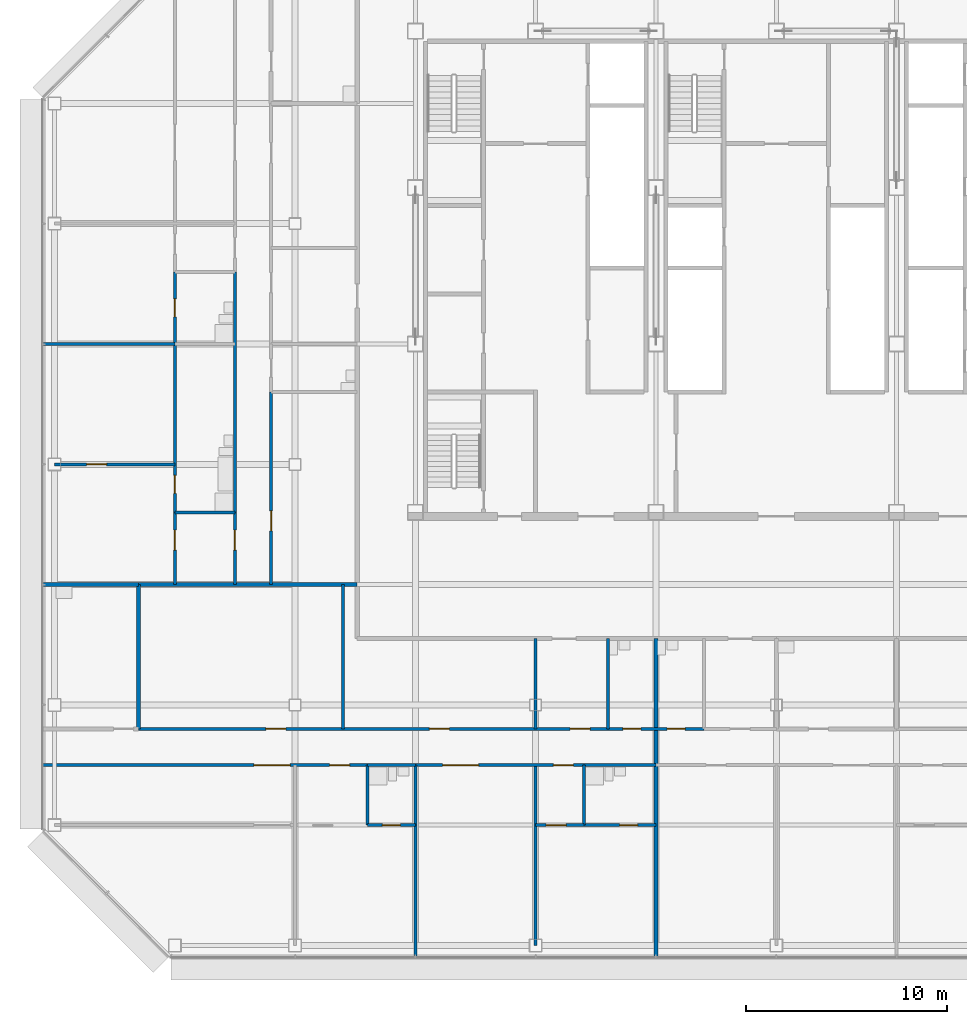
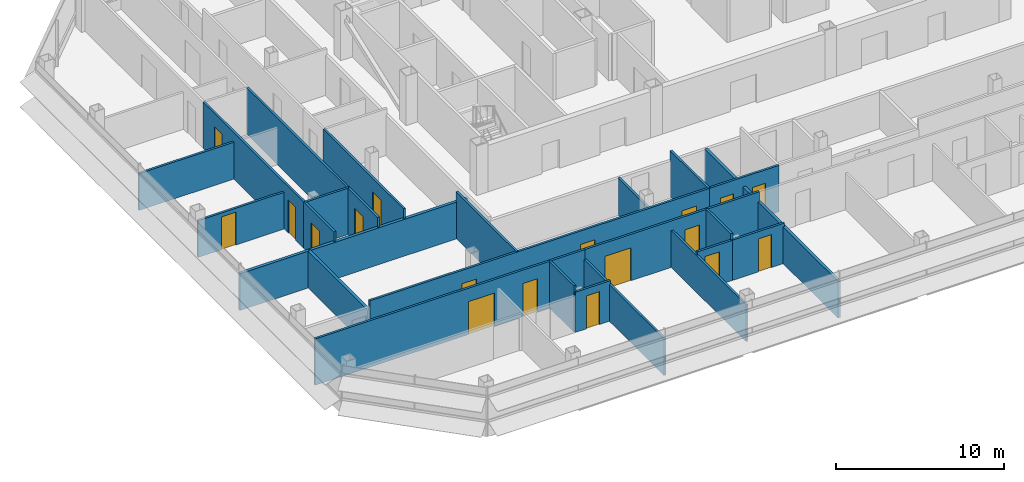
# One storey, part 20 of 27: 29 walls, 18 doors, 18 openings.
"""IFC4 building model written with IfcOpenShell, lengths in metres."""

from ifc_helpers import new_model, si_unit, direction, frame, frame_2d, origin, place, context, subcontext, project, spatial, rectangle, extrude, material, layer, layer_set, type_object, element, fill, save


model = new_model("IFC4")

# Units and contexts
model_context = context("Model", 3, precision=1e-05, world=origin(), true_north=direction((0.0, 1.0)))
body_context = subcontext(model_context, "Body", "Model", "MODEL_VIEW")
ifc_project = project(units=[si_unit("LENGTHUNIT", "METRE"), si_unit("AREAUNIT", "SQUARE_METRE"), si_unit("VOLUMEUNIT", "CUBIC_METRE"), si_unit("PLANEANGLEUNIT", "RADIAN"), si_unit("MASSUNIT", "GRAM", prefix="KILO")], contexts=[model_context])

# Site, building, storey
site_placement = place(None, origin())
site = spatial("IfcSite", under=ifc_project, at=site_placement, CompositionType="ELEMENT")
building_placement = place(site_placement, origin())
building = spatial("IfcBuilding", under=site, at=building_placement, Name="Sorahane Residences", CompositionType="ELEMENT")
storey_placement = place(building_placement, frame((0.0, 0.0, 206.39990234375)))
storey = spatial("IfcBuildingStorey", under=building, at=storey_placement, Name="L48", CompositionType="ELEMENT", Elevation=206.39990234375)

# Walls
ifc_material_1 = material(Name="Concrete blockwork C20 wall", Category="masonry")
ifc_layer_1 = layer(ifc_material_1, 0.199951171875)
ifc_layer_set_1 = layer_set([ifc_layer_1], Name="Kitchen wall 200 EI 180")
wall_type_1 = type_object("IfcWallType", Name="Kitchen wall 200 EI 180", PredefinedType="SOLIDWALL", material=ifc_layer_set_1)
wall_1_placement = place(storey_placement, frame((-7.800048828125, 10.800048828125, 0.0), z_axis=(0.0, 0.0, 1.0), x_axis=(0.0, 1.0, 0.0)))
element("IfcWall", 1, at=wall_1_placement, inside=storey, type_object=wall_type_1, Name="L48 kitchen wall", PredefinedType="SOLIDWALL", context=body_context, shape_type="SweptSolid", body=[
    extrude(rectangle(XDim=7.199951171875, YDim=0.199951171875, at=frame_2d((3.60009765625, 0.0))), origin(), (0.0, 0.0, 1.0), 2.68017578125),
])
wall_2_placement = place(storey_placement, frame((-12.60009765625, 18.0, 0.0), z_axis=(0.0, 0.0, 1.0), x_axis=(1.0, 0.0, 0.0)))
element("IfcWall", 2, at=wall_2_placement, inside=storey, type_object=wall_type_1, Name="L48 kitchen wall", PredefinedType="SOLIDWALL", context=body_context, shape_type="SweptSolid", body=[
    extrude(rectangle(XDim=4.800048828125, YDim=0.199951171875, at=frame_2d((2.39990234375, 0.0))), origin(), (0.0, 0.0, 1.0), 2.68017578125),
])

# Wall, opening, door
ifc_material_2 = material(Name="Gypsum board partition on steel studs", Category="steel")
ifc_layer_2 = layer(ifc_material_2, 0.14990234375)
ifc_layer_set_2 = layer_set([ifc_layer_2], Name="Partition 150 EI 90")
wall_type_2 = type_object("IfcWallType", Name="Partition 150 EI 90", PredefinedType="PARTITIONING", material=ifc_layer_set_2)
wall_3_placement = place(storey_placement, frame((-1.199951171875, 18.0, 0.0), z_axis=(0.0, 0.0, 1.0), x_axis=(0.0, 1.0, 0.0)))
wall_3 = element("IfcWall", 3, at=wall_3_placement, inside=storey, type_object=wall_type_2, Name="L48 partition", PredefinedType="PARTITIONING", context=body_context, shape_type="SweptSolid", body=[
    extrude(rectangle(XDim=9.60009765625, YDim=0.14990234375, at=frame_2d((4.800048828125, 0.0))), origin(), (0.0, 0.0, 1.0), 3.380126953125),
])
opening_1_placement = place(wall_3_placement, frame((2.679931640625, 0.0, 0.0)))
opening_1 = element("IfcOpeningElement", 4, at=opening_1_placement, cuts=wall_3, Name="Opening L48-31", PredefinedType="OPENING", context=body_context, shape_type="SweptSolid", body=[
    extrude(rectangle(XDim=1.0, YDim=2.39990234375, at=frame_2d((0.5, 1.199951171875))), frame((0.0, 0.0849609375, 0.0), z_axis=(0.0, -1.0, 0.0), x_axis=(1.0, 0.0, 0.0)), (0.0, 0.0, 1.0), 0.169921875),
])
ifc_material_3 = material(Name="Timber veneered fire door", Category="wood")
door_type_1 = type_object("IfcDoorType", Name="Room door 1000x2400 FD30", OperationType="NOTDEFINED", PredefinedType="DOOR", material=ifc_material_3)
door_1_placement = place(opening_1_placement, frame((1.0, 0.0, 0.0), z_axis=(0.0, 0.0, 1.0), x_axis=(-1.0, 0.0, 0.0)))
door_1 = element("IfcDoor", 5, at=door_1_placement, inside=storey, type_object=door_type_1, Name="Room door L48-31", OperationType="SINGLE_SWING_LEFT", OverallHeight=2.39990234375, OverallWidth=1.0, PredefinedType="DOOR", context=body_context, shape_type="SweptSolid", body=[
    extrude(rectangle(XDim=1.0, YDim=2.39990234375, at=frame_2d((0.5, 1.199951171875))), frame((0.0, 0.02490234375, 0.0), z_axis=(0.0, -1.0, 0.0), x_axis=(1.0, 0.0, 0.0)), (0.0, 0.0, 1.0), 0.050048828125),
])
fill(opening_1, door_1)

wall_4_placement = place(storey_placement, frame((-3.0, 18.0, 0.0), z_axis=(0.0, 0.0, 1.0), x_axis=(0.0, 1.0, 0.0)))
wall_4 = element("IfcWall", 6, at=wall_4_placement, inside=storey, type_object=wall_type_2, Name="L48 partition", PredefinedType="PARTITIONING", context=body_context, shape_type="SweptSolid", body=[
    extrude(rectangle(XDim=3.60009765625, YDim=0.14990234375, at=frame_2d((1.800048828125, 0.0))), origin(), (0.0, 0.0, 1.0), 3.380126953125),
])
opening_2_placement = place(wall_4_placement, frame((1.719970703125, 0.0, 0.0)))
opening_2 = element("IfcOpeningElement", 7, at=opening_2_placement, cuts=wall_4, Name="Opening L48-35", PredefinedType="OPENING", context=body_context, shape_type="SweptSolid", body=[
    extrude(rectangle(XDim=1.0, YDim=2.39990234375, at=frame_2d((0.5, 1.199951171875))), frame((0.0, 0.0849609375, 0.0), z_axis=(0.0, -1.0, 0.0), x_axis=(1.0, 0.0, 0.0)), (0.0, 0.0, 1.0), 0.169921875),
])
door_2_placement = place(opening_2_placement, origin())
door_2 = element("IfcDoor", 8, at=door_2_placement, inside=storey, type_object=door_type_1, Name="Room door L48-35", OperationType="SINGLE_SWING_RIGHT", OverallHeight=2.39990234375, OverallWidth=1.0, PredefinedType="DOOR", context=body_context, shape_type="SweptSolid", body=[
    extrude(rectangle(XDim=1.0, YDim=2.39990234375, at=frame_2d((0.5, 1.199951171875))), frame((0.0, 0.02490234375, 0.0), z_axis=(0.0, -1.0, 0.0), x_axis=(1.0, 0.0, 0.0)), (0.0, 0.0, 1.0), 0.050048828125),
])
fill(opening_2, door_2)

wall_5_placement = place(storey_placement, frame((-6.0, 18.0, 0.0), z_axis=(0.0, 0.0, 1.0), x_axis=(0.0, 1.0, 0.0)))
wall_5 = element("IfcWall", 9, at=wall_5_placement, inside=storey, type_object=wall_type_2, Name="L48 partition", PredefinedType="PARTITIONING", context=body_context, shape_type="SweptSolid", body=[
    extrude(rectangle(XDim=3.60009765625, YDim=0.14990234375, at=frame_2d((1.800048828125, 0.0))), origin(), (0.0, 0.0, 1.0), 3.380126953125),
])
opening_3_placement = place(wall_5_placement, frame((1.719970703125, 0.0, 0.0)))
opening_3 = element("IfcOpeningElement", 10, at=opening_3_placement, cuts=wall_5, Name="Opening L48-38", PredefinedType="OPENING", context=body_context, shape_type="SweptSolid", body=[
    extrude(rectangle(XDim=1.0, YDim=2.39990234375, at=frame_2d((0.5, 1.199951171875))), frame((0.0, 0.0849609375, 0.0), z_axis=(0.0, -1.0, 0.0), x_axis=(1.0, 0.0, 0.0)), (0.0, 0.0, 1.0), 0.169921875),
])
door_3_placement = place(opening_3_placement, origin())
door_3 = element("IfcDoor", 11, at=door_3_placement, inside=storey, type_object=door_type_1, Name="Room door L48-38", OperationType="SINGLE_SWING_LEFT", OverallHeight=2.39990234375, OverallWidth=1.0, PredefinedType="DOOR", context=body_context, shape_type="SweptSolid", body=[
    extrude(rectangle(XDim=1.0, YDim=2.39990234375, at=frame_2d((0.5, 1.199951171875))), frame((0.0, 0.02490234375, 0.0), z_axis=(0.0, -1.0, 0.0), x_axis=(1.0, 0.0, 0.0)), (0.0, 0.0, 1.0), 0.050048828125),
])
fill(opening_3, door_3)

# Walls
wall_6_placement = place(storey_placement, frame((12.0, 0.0, 0.0), z_axis=(0.0, 0.0, 1.0), x_axis=(0.0, 1.0, 0.0)))
element("IfcWall", 12, at=wall_6_placement, inside=storey, type_object=wall_type_2, Name="L48 partition", PredefinedType="PARTITIONING", context=body_context, shape_type="SweptSolid", body=[
    extrude(rectangle(XDim=9.0, YDim=0.14990234375, at=frame_2d((4.5, 0.0))), origin(), (0.0, 0.0, 1.0), 2.68017578125),
])
wall_7_placement = place(storey_placement, frame((12.0, 10.800048828125, 0.0), z_axis=(0.0, 0.0, 1.0), x_axis=(0.0, 1.0, 0.0)))
element("IfcWall", 13, at=wall_7_placement, inside=storey, type_object=wall_type_2, Name="L48 partition", PredefinedType="PARTITIONING", context=body_context, shape_type="SweptSolid", body=[
    extrude(rectangle(XDim=4.5, YDim=0.14990234375, at=frame_2d((2.25, 0.0))), origin(), (0.0, 0.0, 1.0), 2.68017578125),
])
wall_8_placement = place(storey_placement, frame((2.39990234375, 10.800048828125, 0.0), z_axis=(0.0, 0.0, 1.0), x_axis=(0.0, 1.0, 0.0)))
element("IfcWall", 14, at=wall_8_placement, inside=storey, type_object=wall_type_2, Name="L48 partition", PredefinedType="PARTITIONING", context=body_context, shape_type="SweptSolid", body=[
    extrude(rectangle(XDim=7.199951171875, YDim=0.14990234375, at=frame_2d((3.60009765625, 0.0))), origin(), (0.0, 0.0, 1.0), 3.380126953125),
])
wall_9_placement = place(storey_placement, frame((6.0, -0.60009765625, 0.0), z_axis=(0.0, 0.0, 1.0), x_axis=(0.0, 1.0, 0.0)))
element("IfcWall", 15, at=wall_9_placement, inside=storey, type_object=wall_type_2, Name="L48 partition", PredefinedType="PARTITIONING", context=body_context, shape_type="SweptSolid", body=[
    extrude(rectangle(XDim=6.60009765625, YDim=0.14990234375, at=frame_2d((3.300048828125, 0.0))), origin(), (0.0, 0.0, 1.0), 2.68017578125),
])

# Wall, openings, doors
wall_10_placement = place(storey_placement, frame((-7.800048828125, 10.800048828125, 0.0), z_axis=(0.0, 0.0, 1.0), x_axis=(1.0, 0.0, 0.0)))
wall_10 = element("IfcWall", 16, at=wall_10_placement, inside=storey, type_object=wall_type_2, Name="L48 partition", PredefinedType="PARTITIONING", context=body_context, shape_type="SweptSolid", body=[
    extrude(rectangle(XDim=23.400146484375, YDim=0.14990234375, at=frame_2d((11.7001953125, 0.0))), origin(), (0.0, 0.0, 1.0), 3.380126953125),
])
opening_4_placement = place(wall_10_placement, frame((21.52001953125, 0.0, 0.0)))
opening_4 = element("IfcOpeningElement", 17, at=opening_4_placement, cuts=wall_10, Name="Opening L48-01", PredefinedType="OPENING", context=body_context, shape_type="SweptSolid", body=[
    extrude(rectangle(XDim=1.0, YDim=2.39990234375, at=frame_2d((0.5, 1.199951171875))), frame((0.0, 0.0849609375, 0.0), z_axis=(0.0, -1.0, 0.0), x_axis=(1.0, 0.0, 0.0)), (0.0, 0.0, 1.0), 0.169921875),
])
opening_5_placement = place(wall_10_placement, frame((6.340087890625, 0.0, 0.0)))
opening_5 = element("IfcOpeningElement", 18, at=opening_5_placement, cuts=wall_10, Name="Opening L48-03", PredefinedType="OPENING", context=body_context, shape_type="SweptSolid", body=[
    extrude(rectangle(XDim=1.0, YDim=2.39990234375, at=frame_2d((0.5, 1.199951171875))), frame((0.0, 0.0849609375, 0.0), z_axis=(0.0, -1.0, 0.0), x_axis=(1.0, 0.0, 0.0)), (0.0, 0.0, 1.0), 0.169921875),
])
opening_6_placement = place(wall_10_placement, frame((14.5, 0.0, 0.0)))
opening_6 = element("IfcOpeningElement", 19, at=opening_6_placement, cuts=wall_10, Name="Opening L48-04", PredefinedType="OPENING", context=body_context, shape_type="SweptSolid", body=[
    extrude(rectangle(XDim=1.0, YDim=2.39990234375, at=frame_2d((0.5, 1.199951171875))), frame((0.0, 0.0849609375, 0.0), z_axis=(0.0, -1.0, 0.0), x_axis=(1.0, 0.0, 0.0)), (0.0, 0.0, 1.0), 0.169921875),
])
door_4_placement = place(opening_4_placement, frame((1.0, 0.0, 0.0), z_axis=(0.0, 0.0, 1.0), x_axis=(-1.0, 0.0, 0.0)))
door_4 = element("IfcDoor", 20, at=door_4_placement, inside=storey, type_object=door_type_1, Name="Room door L48-01", OperationType="SINGLE_SWING_LEFT", OverallHeight=2.39990234375, OverallWidth=1.0, PredefinedType="DOOR", context=body_context, shape_type="SweptSolid", body=[
    extrude(rectangle(XDim=1.0, YDim=2.39990234375, at=frame_2d((0.5, 1.199951171875))), frame((0.0, 0.02490234375, 0.0), z_axis=(0.0, -1.0, 0.0), x_axis=(1.0, 0.0, 0.0)), (0.0, 0.0, 1.0), 0.050048828125),
])
fill(opening_4, door_4)
door_5_placement = place(opening_5_placement, origin())
door_5 = element("IfcDoor", 21, at=door_5_placement, inside=storey, type_object=door_type_1, Name="Room door L48-03", OperationType="SINGLE_SWING_LEFT", OverallHeight=2.39990234375, OverallWidth=1.0, PredefinedType="DOOR", context=body_context, shape_type="SweptSolid", body=[
    extrude(rectangle(XDim=1.0, YDim=2.39990234375, at=frame_2d((0.5, 1.199951171875))), frame((0.0, 0.02490234375, 0.0), z_axis=(0.0, -1.0, 0.0), x_axis=(1.0, 0.0, 0.0)), (0.0, 0.0, 1.0), 0.050048828125),
])
fill(opening_5, door_5)
door_6_placement = place(opening_6_placement, origin())
door_6 = element("IfcDoor", 22, at=door_6_placement, inside=storey, type_object=door_type_1, Name="Room door L48-04", OperationType="SINGLE_SWING_LEFT", OverallHeight=2.39990234375, OverallWidth=1.0, PredefinedType="DOOR", context=body_context, shape_type="SweptSolid", body=[
    extrude(rectangle(XDim=1.0, YDim=2.39990234375, at=frame_2d((0.5, 1.199951171875))), frame((0.0, 0.02490234375, 0.0), z_axis=(0.0, -1.0, 0.0), x_axis=(1.0, 0.0, 0.0)), (0.0, 0.0, 1.0), 0.050048828125),
])
fill(opening_6, door_6)

# Wall, opening, door
wall_11_placement = place(storey_placement, frame((-12.0, 24.0, 0.0), z_axis=(0.0, 0.0, 1.0), x_axis=(1.0, 0.0, 0.0)))
wall_11 = element("IfcWall", 23, at=wall_11_placement, inside=storey, type_object=wall_type_2, Name="L48 partition", PredefinedType="PARTITIONING", context=body_context, shape_type="SweptSolid", body=[
    extrude(rectangle(XDim=6.0, YDim=0.14990234375, at=frame_2d((3.0, 0.0))), origin(), (0.0, 0.0, 1.0), 2.68017578125),
])
opening_7_placement = place(wall_11_placement, frame((1.60009765625, 0.0, 0.0)))
opening_7 = element("IfcOpeningElement", 24, at=opening_7_placement, cuts=wall_11, Name="Opening L48-39", PredefinedType="OPENING", context=body_context, shape_type="SweptSolid", body=[
    extrude(rectangle(XDim=1.0, YDim=2.39990234375, at=frame_2d((0.5, 1.199951171875))), frame((0.0, 0.0849609375, 0.0), z_axis=(0.0, -1.0, 0.0), x_axis=(1.0, 0.0, 0.0)), (0.0, 0.0, 1.0), 0.169921875),
])
door_7_placement = place(opening_7_placement, origin())
door_7 = element("IfcDoor", 25, at=door_7_placement, inside=storey, type_object=door_type_1, Name="Room door L48-39", OperationType="SINGLE_SWING_LEFT", OverallHeight=2.39990234375, OverallWidth=1.0, PredefinedType="DOOR", context=body_context, shape_type="SweptSolid", body=[
    extrude(rectangle(XDim=1.0, YDim=2.39990234375, at=frame_2d((0.5, 1.199951171875))), frame((0.0, 0.02490234375, 0.0), z_axis=(0.0, -1.0, 0.0), x_axis=(1.0, 0.0, 0.0)), (0.0, 0.0, 1.0), 0.050048828125),
])
fill(opening_7, door_7)

# Wall
wall_12_placement = place(storey_placement, frame((-12.60009765625, 30.0, 0.0), z_axis=(0.0, 0.0, 1.0), x_axis=(1.0, 0.0, 0.0)))
element("IfcWall", 26, at=wall_12_placement, inside=storey, type_object=wall_type_2, Name="L48 partition", PredefinedType="PARTITIONING", context=body_context, shape_type="SweptSolid", body=[
    extrude(rectangle(XDim=6.60009765625, YDim=0.14990234375, at=frame_2d((3.300048828125, 0.0))), origin(), (0.0, 0.0, 1.0), 2.68017578125),
])

# Wall, opening, door
wall_13_placement = place(storey_placement, frame((12.0, 6.0, 0.0), z_axis=(0.0, 0.0, 1.0), x_axis=(1.0, 0.0, 0.0)))
wall_13 = element("IfcWall", 27, at=wall_13_placement, inside=storey, type_object=wall_type_2, Name="L48 partition", PredefinedType="PARTITIONING", context=body_context, shape_type="SweptSolid", body=[
    extrude(rectangle(XDim=2.39990234375, YDim=0.14990234375, at=frame_2d((1.199951171875, 0.0))), origin(), (0.0, 0.0, 1.0), 2.93017578125),
])
opening_8_placement = place(wall_13_placement, frame((0.52001953125, 0.0, 0.0)))
opening_8 = element("IfcOpeningElement", 28, at=opening_8_placement, cuts=wall_13, Name="Opening L48-13", PredefinedType="OPENING", context=body_context, shape_type="SweptSolid", body=[
    extrude(rectangle(XDim=1.0, YDim=2.39990234375, at=frame_2d((0.5, 1.199951171875))), frame((0.0, 0.0849609375, 0.0), z_axis=(0.0, -1.0, 0.0), x_axis=(1.0, 0.0, 0.0)), (0.0, 0.0, 1.0), 0.169921875),
])
door_8_placement = place(opening_8_placement, frame((1.0, 0.0, 0.0), z_axis=(0.0, 0.0, 1.0), x_axis=(-1.0, 0.0, 0.0)))
door_8 = element("IfcDoor", 29, at=door_8_placement, inside=storey, type_object=door_type_1, Name="Room door L48-13", OperationType="SINGLE_SWING_LEFT", OverallHeight=2.39990234375, OverallWidth=1.0, PredefinedType="DOOR", context=body_context, shape_type="SweptSolid", body=[
    extrude(rectangle(XDim=1.0, YDim=2.39990234375, at=frame_2d((0.5, 1.199951171875))), frame((0.0, 0.02490234375, 0.0), z_axis=(0.0, -1.0, 0.0), x_axis=(1.0, 0.0, 0.0)), (0.0, 0.0, 1.0), 0.050048828125),
])
fill(opening_8, door_8)

# Wall, openings, doors
wall_14_placement = place(storey_placement, frame((-12.60009765625, 9.0, 0.0), z_axis=(0.0, 0.0, 1.0), x_axis=(1.0, 0.0, 0.0)))
wall_14 = element("IfcWall", 30, at=wall_14_placement, inside=storey, type_object=wall_type_2, Name="L48 partition", PredefinedType="PARTITIONING", context=body_context, shape_type="SweptSolid", body=[
    extrude(rectangle(XDim=16.2001953125, YDim=0.14990234375, at=frame_2d((8.10009765625, 0.0))), origin(), (0.0, 0.0, 1.0), 3.380126953125),
])
opening_9_placement = place(wall_14_placement, frame((10.550048828125, 0.0, 0.0)))
opening_9 = element("IfcOpeningElement", 31, at=opening_9_placement, cuts=wall_14, Name="Opening L48-06", PredefinedType="OPENING", context=body_context, shape_type="SweptSolid", body=[
    extrude(rectangle(XDim=1.800048828125, YDim=2.39990234375, at=frame_2d((0.89990234375, 1.199951171875))), frame((0.0, 0.0849609375, 0.0), z_axis=(0.0, -1.0, 0.0), x_axis=(1.0, 0.0, 0.0)), (0.0, 0.0, 1.0), 0.169921875),
])
opening_10_placement = place(wall_14_placement, frame((14.320068359375, 0.0, 0.0)))
opening_10 = element("IfcOpeningElement", 32, at=opening_10_placement, cuts=wall_14, Name="Opening L48-07", PredefinedType="OPENING", context=body_context, shape_type="SweptSolid", body=[
    extrude(rectangle(XDim=1.0, YDim=2.39990234375, at=frame_2d((0.5, 1.199951171875))), frame((0.0, 0.0849609375, 0.0), z_axis=(0.0, -1.0, 0.0), x_axis=(1.0, 0.0, 0.0)), (0.0, 0.0, 1.0), 0.169921875),
])
ifc_material_4 = material(Name="Timber veneered fire door", Category="wood")
door_type_2 = type_object("IfcDoorType", Name="Double door 1800x2400 FD30", OperationType="NOTDEFINED", PredefinedType="DOOR", material=ifc_material_4)
door_9_placement = place(opening_9_placement, frame((1.800048828125, 0.0, 0.0), z_axis=(0.0, 0.0, 1.0), x_axis=(-1.0, 0.0, 0.0)))
door_9 = element("IfcDoor", 33, at=door_9_placement, inside=storey, type_object=door_type_2, Name="Double door L48-06", OperationType="SINGLE_SWING_RIGHT", OverallHeight=2.39990234375, OverallWidth=1.800048828125, PredefinedType="DOOR", context=body_context, shape_type="SweptSolid", body=[
    extrude(rectangle(XDim=1.800048828125, YDim=2.39990234375, at=frame_2d((0.89990234375, 1.199951171875))), frame((0.0, 0.02490234375, 0.0), z_axis=(0.0, -1.0, 0.0), x_axis=(1.0, 0.0, 0.0)), (0.0, 0.0, 1.0), 0.050048828125),
])
fill(opening_9, door_9)
door_10_placement = place(opening_10_placement, frame((1.0, 0.0, 0.0), z_axis=(0.0, 0.0, 1.0), x_axis=(-1.0, 0.0, 0.0)))
door_10 = element("IfcDoor", 34, at=door_10_placement, inside=storey, type_object=door_type_1, Name="Room door L48-07", OperationType="SINGLE_SWING_RIGHT", OverallHeight=2.39990234375, OverallWidth=1.0, PredefinedType="DOOR", context=body_context, shape_type="SweptSolid", body=[
    extrude(rectangle(XDim=1.0, YDim=2.39990234375, at=frame_2d((0.5, 1.199951171875))), frame((0.0, 0.02490234375, 0.0), z_axis=(0.0, -1.0, 0.0), x_axis=(1.0, 0.0, 0.0)), (0.0, 0.0, 1.0), 0.050048828125),
])
fill(opening_10, door_10)

wall_15_placement = place(storey_placement, frame((6.0, 9.0, 0.0), z_axis=(0.0, 0.0, 1.0), x_axis=(1.0, 0.0, 0.0)))
wall_15 = element("IfcWall", 35, at=wall_15_placement, inside=storey, type_object=wall_type_2, Name="L48 partition", PredefinedType="PARTITIONING", context=body_context, shape_type="SweptSolid", body=[
    extrude(rectangle(XDim=8.39990234375, YDim=0.14990234375, at=frame_2d((4.199951171875, 0.0))), origin(), (0.0, 0.0, 1.0), 3.380126953125),
])
opening_11_placement = place(wall_15_placement, frame((1.360107421875, 0.0, 0.0)))
opening_11 = element("IfcOpeningElement", 36, at=opening_11_placement, cuts=wall_15, Name="Opening L48-08", PredefinedType="OPENING", context=body_context, shape_type="SweptSolid", body=[
    extrude(rectangle(XDim=1.800048828125, YDim=2.39990234375, at=frame_2d((0.89990234375, 1.199951171875))), frame((0.0, 0.0849609375, 0.0), z_axis=(0.0, -1.0, 0.0), x_axis=(1.0, 0.0, 0.0)), (0.0, 0.0, 1.0), 0.169921875),
])
opening_12_placement = place(wall_15_placement, frame((6.8798828125, 0.0, 0.0)))
opening_12 = element("IfcOpeningElement", 37, at=opening_12_placement, cuts=wall_15, Name="Opening L48-09", PredefinedType="OPENING", context=body_context, shape_type="SweptSolid", body=[
    extrude(rectangle(XDim=1.0, YDim=2.39990234375, at=frame_2d((0.5, 1.199951171875))), frame((0.0, 0.0849609375, 0.0), z_axis=(0.0, -1.0, 0.0), x_axis=(1.0, 0.0, 0.0)), (0.0, 0.0, 1.0), 0.169921875),
])
door_11_placement = place(opening_11_placement, frame((1.800048828125, 0.0, 0.0), z_axis=(0.0, 0.0, 1.0), x_axis=(-1.0, 0.0, 0.0)))
door_11 = element("IfcDoor", 38, at=door_11_placement, inside=storey, type_object=door_type_2, Name="Double door L48-08", OperationType="SINGLE_SWING_LEFT", OverallHeight=2.39990234375, OverallWidth=1.800048828125, PredefinedType="DOOR", context=body_context, shape_type="SweptSolid", body=[
    extrude(rectangle(XDim=1.800048828125, YDim=2.39990234375, at=frame_2d((0.89990234375, 1.199951171875))), frame((0.0, 0.02490234375, 0.0), z_axis=(0.0, -1.0, 0.0), x_axis=(1.0, 0.0, 0.0)), (0.0, 0.0, 1.0), 0.050048828125),
])
fill(opening_11, door_11)
door_12_placement = place(opening_12_placement, frame((1.0, 0.0, 0.0), z_axis=(0.0, 0.0, 1.0), x_axis=(-1.0, 0.0, 0.0)))
door_12 = element("IfcDoor", 39, at=door_12_placement, inside=storey, type_object=door_type_1, Name="Room door L48-09", OperationType="SINGLE_SWING_RIGHT", OverallHeight=2.39990234375, OverallWidth=1.0, PredefinedType="DOOR", context=body_context, shape_type="SweptSolid", body=[
    extrude(rectangle(XDim=1.0, YDim=2.39990234375, at=frame_2d((0.5, 1.199951171875))), frame((0.0, 0.02490234375, 0.0), z_axis=(0.0, -1.0, 0.0), x_axis=(1.0, 0.0, 0.0)), (0.0, 0.0, 1.0), 0.050048828125),
])
fill(opening_12, door_12)

# Walls
ifc_material_5 = material(Name="Concrete blockwork C20 wall", Category="masonry")
ifc_layer_3 = layer(ifc_material_5, 0.199951171875)
ifc_layer_set_3 = layer_set([ifc_layer_3], Name="Party wall 200 EI 120")
wall_type_3 = type_object("IfcWallType", Name="Party wall 200 EI 120", PredefinedType="SOLIDWALL", material=ifc_layer_set_3)
wall_16_placement = place(storey_placement, frame((18.0, -0.60009765625, 0.0), z_axis=(0.0, 0.0, 1.0), x_axis=(0.0, 1.0, 0.0)))
element("IfcWall", 40, at=wall_16_placement, inside=storey, type_object=wall_type_3, Name="L48 party wall", PredefinedType="SOLIDWALL", context=body_context, shape_type="SweptSolid", body=[
    extrude(rectangle(XDim=15.900146484375, YDim=0.199951171875, at=frame_2d((7.9501953125, 0.0))), origin(), (0.0, 0.0, 1.0), 2.68017578125),
])
wall_17_placement = place(storey_placement, frame((-7.800048828125, 18.0, 0.0), z_axis=(0.0, 0.0, 1.0), x_axis=(1.0, 0.0, 0.0)))
element("IfcWall", 41, at=wall_17_placement, inside=storey, type_object=wall_type_3, Name="L48 party wall", PredefinedType="SOLIDWALL", context=body_context, shape_type="SweptSolid", body=[
    extrude(rectangle(XDim=10.900146484375, YDim=0.199951171875, at=frame_2d((5.4501953125, 0.0))), origin(), (0.0, 0.0, 1.0), 2.68017578125),
])
ifc_material_6 = material(Name="Gypsum board partition on steel studs", Category="steel")
ifc_layer_4 = layer(ifc_material_6, 0.14990234375)
ifc_layer_set_4 = layer_set([ifc_layer_4], Name="Wet wall 150 EI 90")
wall_type_4 = type_object("IfcWallType", Name="Wet wall 150 EI 90", PredefinedType="PARTITIONING", material=ifc_layer_set_4)
wall_18_placement = place(storey_placement, frame((-3.0, 21.60009765625, 0.0), z_axis=(0.0, 0.0, 1.0), x_axis=(0.0, 1.0, 0.0)))
element("IfcWall", 42, at=wall_18_placement, inside=storey, type_object=wall_type_4, Name="L48 wet wall", PredefinedType="PARTITIONING", context=body_context, shape_type="SweptSolid", body=[
    extrude(rectangle(XDim=12.0, YDim=0.14990234375, at=frame_2d((6.0, 0.0))), origin(), (0.0, 0.0, 1.0), 3.380126953125),
])

# Wall, openings, doors
wall_19_placement = place(storey_placement, frame((-6.0, 21.60009765625, 0.0), z_axis=(0.0, 0.0, 1.0), x_axis=(0.0, 1.0, 0.0)))
wall_19 = element("IfcWall", 43, at=wall_19_placement, inside=storey, type_object=wall_type_4, Name="L48 wet wall", PredefinedType="PARTITIONING", context=body_context, shape_type="SweptSolid", body=[
    extrude(rectangle(XDim=12.0, YDim=0.14990234375, at=frame_2d((6.0, 0.0))), origin(), (0.0, 0.0, 1.0), 3.380126953125),
])
opening_13_placement = place(wall_19_placement, frame((0.949951171875, 0.0, 0.0)))
opening_13 = element("IfcOpeningElement", 44, at=opening_13_placement, cuts=wall_19, Name="Opening L48-40", PredefinedType="OPENING", context=body_context, shape_type="SweptSolid", body=[
    extrude(rectangle(XDim=0.89990234375, YDim=2.39990234375, at=frame_2d((0.449951171875, 1.199951171875))), frame((0.0, 0.0849609375, 0.0), z_axis=(0.0, -1.0, 0.0), x_axis=(1.0, 0.0, 0.0)), (0.0, 0.0, 1.0), 0.169921875),
])
opening_14_placement = place(wall_19_placement, frame((9.75, 0.0, 0.0)))
opening_14 = element("IfcOpeningElement", 45, at=opening_14_placement, cuts=wall_19, Name="Opening L48-42", PredefinedType="OPENING", context=body_context, shape_type="SweptSolid", body=[
    extrude(rectangle(XDim=0.89990234375, YDim=2.39990234375, at=frame_2d((0.449951171875, 1.199951171875))), frame((0.0, 0.0849609375, 0.0), z_axis=(0.0, -1.0, 0.0), x_axis=(1.0, 0.0, 0.0)), (0.0, 0.0, 1.0), 0.169921875),
])
ifc_material_7 = material(Name="Timber veneered fire door", Category="wood")
door_type_3 = type_object("IfcDoorType", Name="Bathroom door 900x2400 FD30", OperationType="NOTDEFINED", PredefinedType="DOOR", material=ifc_material_7)
door_13_placement = place(opening_13_placement, origin())
door_13 = element("IfcDoor", 46, at=door_13_placement, inside=storey, type_object=door_type_3, Name="Bathroom door L48-40", OperationType="SINGLE_SWING_RIGHT", OverallHeight=2.39990234375, OverallWidth=0.89990234375, PredefinedType="DOOR", context=body_context, shape_type="SweptSolid", body=[
    extrude(rectangle(XDim=0.89990234375, YDim=2.39990234375, at=frame_2d((0.449951171875, 1.199951171875))), frame((0.0, 0.02490234375, 0.0), z_axis=(0.0, -1.0, 0.0), x_axis=(1.0, 0.0, 0.0)), (0.0, 0.0, 1.0), 0.050048828125),
])
fill(opening_13, door_13)
door_14_placement = place(opening_14_placement, origin())
door_14 = element("IfcDoor", 47, at=door_14_placement, inside=storey, type_object=door_type_3, Name="Bathroom door L48-42", OperationType="SINGLE_SWING_LEFT", OverallHeight=2.39990234375, OverallWidth=0.89990234375, PredefinedType="DOOR", context=body_context, shape_type="SweptSolid", body=[
    extrude(rectangle(XDim=0.89990234375, YDim=2.39990234375, at=frame_2d((0.449951171875, 1.199951171875))), frame((0.0, 0.02490234375, 0.0), z_axis=(0.0, -1.0, 0.0), x_axis=(1.0, 0.0, 0.0)), (0.0, 0.0, 1.0), 0.050048828125),
])
fill(opening_14, door_14)

# Walls
wall_20_placement = place(storey_placement, frame((14.39990234375, 6.0, 0.0), z_axis=(0.0, 0.0, 1.0), x_axis=(0.0, 1.0, 0.0)))
element("IfcWall", 48, at=wall_20_placement, inside=storey, type_object=wall_type_4, Name="L48 wet wall", PredefinedType="PARTITIONING", context=body_context, shape_type="SweptSolid", body=[
    extrude(rectangle(XDim=3.0, YDim=0.14990234375, at=frame_2d((1.5, 0.0))), origin(), (0.0, 0.0, 1.0), 3.380126953125),
])
wall_21_placement = place(storey_placement, frame((15.60009765625, 10.800048828125, 0.0), z_axis=(0.0, 0.0, 1.0), x_axis=(0.0, 1.0, 0.0)))
element("IfcWall", 49, at=wall_21_placement, inside=storey, type_object=wall_type_4, Name="L48 wet wall", PredefinedType="PARTITIONING", context=body_context, shape_type="SweptSolid", body=[
    extrude(rectangle(XDim=4.5, YDim=0.14990234375, at=frame_2d((2.25, 0.0))), origin(), (0.0, 0.0, 1.0), 3.380126953125),
])
wall_22_placement = place(storey_placement, frame((3.60009765625, 6.0, 0.0), z_axis=(0.0, 0.0, 1.0), x_axis=(0.0, 1.0, 0.0)))
element("IfcWall", 50, at=wall_22_placement, inside=storey, type_object=wall_type_4, Name="L48 wet wall", PredefinedType="PARTITIONING", context=body_context, shape_type="SweptSolid", body=[
    extrude(rectangle(XDim=3.0, YDim=0.14990234375, at=frame_2d((1.5, 0.0))), origin(), (0.0, 0.0, 1.0), 3.380126953125),
])
wall_23_placement = place(storey_placement, frame((6.0, 6.0, 0.0), z_axis=(0.0, 0.0, 1.0), x_axis=(0.0, 1.0, 0.0)))
element("IfcWall", 51, at=wall_23_placement, inside=storey, type_object=wall_type_4, Name="L48 wet wall", PredefinedType="PARTITIONING", context=body_context, shape_type="SweptSolid", body=[
    extrude(rectangle(XDim=3.0, YDim=0.14990234375, at=frame_2d((1.5, 0.0))), origin(), (0.0, 0.0, 1.0), 2.68017578125),
])

# Wall, openings, doors
wall_24_placement = place(storey_placement, frame((15.60009765625, 10.800048828125, 0.0), z_axis=(0.0, 0.0, 1.0), x_axis=(1.0, 0.0, 0.0)))
wall_24 = element("IfcWall", 52, at=wall_24_placement, inside=storey, type_object=wall_type_4, Name="L48 wet wall", PredefinedType="PARTITIONING", context=body_context, shape_type="SweptSolid", body=[
    extrude(rectangle(XDim=4.7998046875, YDim=0.14990234375, at=frame_2d((2.39990234375, 0.0))), origin(), (0.0, 0.0, 1.0), 3.380126953125),
])
opening_15_placement = place(wall_24_placement, frame((0.75, 0.0, 0.0)))
opening_15 = element("IfcOpeningElement", 53, at=opening_15_placement, cuts=wall_24, Name="Opening L48-05", PredefinedType="OPENING", context=body_context, shape_type="SweptSolid", body=[
    extrude(rectangle(XDim=0.89990234375, YDim=2.39990234375, at=frame_2d((0.449951171875, 1.199951171875))), frame((0.0, 0.0849609375, 0.0), z_axis=(0.0, -1.0, 0.0), x_axis=(1.0, 0.0, 0.0)), (0.0, 0.0, 1.0), 0.169921875),
])
opening_16_placement = place(wall_24_placement, frame((2.949951171875, 0.0, 0.0)))
opening_16 = element("IfcOpeningElement", 54, at=opening_16_placement, cuts=wall_24, Name="Opening L48-16", PredefinedType="OPENING", context=body_context, shape_type="SweptSolid", body=[
    extrude(rectangle(XDim=0.89990234375, YDim=2.39990234375, at=frame_2d((0.449951171875, 1.199951171875))), frame((0.0, 0.0849609375, 0.0), z_axis=(0.0, -1.0, 0.0), x_axis=(1.0, 0.0, 0.0)), (0.0, 0.0, 1.0), 0.169921875),
])
door_15_placement = place(opening_15_placement, frame((0.89990234375, 0.0, 0.0), z_axis=(0.0, 0.0, 1.0), x_axis=(-1.0, 0.0, 0.0)))
door_15 = element("IfcDoor", 55, at=door_15_placement, inside=storey, type_object=door_type_3, Name="Bathroom door L48-05", OperationType="SINGLE_SWING_LEFT", OverallHeight=2.39990234375, OverallWidth=0.89990234375, PredefinedType="DOOR", context=body_context, shape_type="SweptSolid", body=[
    extrude(rectangle(XDim=0.89990234375, YDim=2.39990234375, at=frame_2d((0.449951171875, 1.199951171875))), frame((0.0, 0.02490234375, 0.0), z_axis=(0.0, -1.0, 0.0), x_axis=(1.0, 0.0, 0.0)), (0.0, 0.0, 1.0), 0.050048828125),
])
fill(opening_15, door_15)
door_16_placement = place(opening_16_placement, frame((0.89990234375, 0.0, 0.0), z_axis=(0.0, 0.0, 1.0), x_axis=(-1.0, 0.0, 0.0)))
door_16 = element("IfcDoor", 56, at=door_16_placement, inside=storey, type_object=door_type_3, Name="Bathroom door L48-16", OperationType="SINGLE_SWING_RIGHT", OverallHeight=2.39990234375, OverallWidth=0.89990234375, PredefinedType="DOOR", context=body_context, shape_type="SweptSolid", body=[
    extrude(rectangle(XDim=0.89990234375, YDim=2.39990234375, at=frame_2d((0.449951171875, 1.199951171875))), frame((0.0, 0.02490234375, 0.0), z_axis=(0.0, -1.0, 0.0), x_axis=(1.0, 0.0, 0.0)), (0.0, 0.0, 1.0), 0.050048828125),
])
fill(opening_16, door_16)

# Wall
wall_25_placement = place(storey_placement, frame((-6.0, 21.60009765625, 0.0), z_axis=(0.0, 0.0, 1.0), x_axis=(1.0, 0.0, 0.0)))
element("IfcWall", 57, at=wall_25_placement, inside=storey, type_object=wall_type_4, Name="L48 wet wall", PredefinedType="PARTITIONING", context=body_context, shape_type="SweptSolid", body=[
    extrude(rectangle(XDim=3.0, YDim=0.14990234375, at=frame_2d((1.5, 0.0))), origin(), (0.0, 0.0, 1.0), 3.380126953125),
])

# Wall, opening, door
wall_26_placement = place(storey_placement, frame((3.60009765625, 6.0, 0.0), z_axis=(0.0, 0.0, 1.0), x_axis=(1.0, 0.0, 0.0)))
wall_26 = element("IfcWall", 58, at=wall_26_placement, inside=storey, type_object=wall_type_4, Name="L48 wet wall", PredefinedType="PARTITIONING", context=body_context, shape_type="SweptSolid", body=[
    extrude(rectangle(XDim=2.39990234375, YDim=0.14990234375, at=frame_2d((1.199951171875, 0.0))), origin(), (0.0, 0.0, 1.0), 2.93017578125),
])
opening_17_placement = place(wall_26_placement, frame((0.75, 0.0, 0.0)))
opening_17 = element("IfcOpeningElement", 59, at=opening_17_placement, cuts=wall_26, Name="Opening L48-12", PredefinedType="OPENING", context=body_context, shape_type="SweptSolid", body=[
    extrude(rectangle(XDim=0.89990234375, YDim=2.39990234375, at=frame_2d((0.449951171875, 1.199951171875))), frame((0.0, 0.0849609375, 0.0), z_axis=(0.0, -1.0, 0.0), x_axis=(1.0, 0.0, 0.0)), (0.0, 0.0, 1.0), 0.169921875),
])
door_17_placement = place(opening_17_placement, frame((0.89990234375, 0.0, 0.0), z_axis=(0.0, 0.0, 1.0), x_axis=(-1.0, 0.0, 0.0)))
door_17 = element("IfcDoor", 60, at=door_17_placement, inside=storey, type_object=door_type_3, Name="Bathroom door L48-12", OperationType="SINGLE_SWING_LEFT", OverallHeight=2.39990234375, OverallWidth=0.89990234375, PredefinedType="DOOR", context=body_context, shape_type="SweptSolid", body=[
    extrude(rectangle(XDim=0.89990234375, YDim=2.39990234375, at=frame_2d((0.449951171875, 1.199951171875))), frame((0.0, 0.02490234375, 0.0), z_axis=(0.0, -1.0, 0.0), x_axis=(1.0, 0.0, 0.0)), (0.0, 0.0, 1.0), 0.050048828125),
])
fill(opening_17, door_17)

wall_27_placement = place(storey_placement, frame((14.39990234375, 6.0, 0.0), z_axis=(0.0, 0.0, 1.0), x_axis=(1.0, 0.0, 0.0)))
wall_27 = element("IfcWall", 61, at=wall_27_placement, inside=storey, type_object=wall_type_4, Name="L48 wet wall", PredefinedType="PARTITIONING", context=body_context, shape_type="SweptSolid", body=[
    extrude(rectangle(XDim=3.60009765625, YDim=0.14990234375, at=frame_2d((1.800048828125, 0.0))), origin(), (0.0, 0.0, 1.0), 2.93017578125),
])
opening_18_placement = place(wall_27_placement, frame((1.7900390625, 0.0, 0.0)))
opening_18 = element("IfcOpeningElement", 62, at=opening_18_placement, cuts=wall_27, Name="Opening L48-14", PredefinedType="OPENING", context=body_context, shape_type="SweptSolid", body=[
    extrude(rectangle(XDim=0.89990234375, YDim=2.39990234375, at=frame_2d((0.449951171875, 1.199951171875))), frame((0.0, 0.0849609375, 0.0), z_axis=(0.0, -1.0, 0.0), x_axis=(1.0, 0.0, 0.0)), (0.0, 0.0, 1.0), 0.169921875),
])
door_18_placement = place(opening_18_placement, frame((0.89990234375, 0.0, 0.0), z_axis=(0.0, 0.0, 1.0), x_axis=(-1.0, 0.0, 0.0)))
door_18 = element("IfcDoor", 63, at=door_18_placement, inside=storey, type_object=door_type_3, Name="Bathroom door L48-14", OperationType="SINGLE_SWING_RIGHT", OverallHeight=2.39990234375, OverallWidth=0.89990234375, PredefinedType="DOOR", context=body_context, shape_type="SweptSolid", body=[
    extrude(rectangle(XDim=0.89990234375, YDim=2.39990234375, at=frame_2d((0.449951171875, 1.199951171875))), frame((0.0, 0.02490234375, 0.0), z_axis=(0.0, -1.0, 0.0), x_axis=(1.0, 0.0, 0.0)), (0.0, 0.0, 1.0), 0.050048828125),
])
fill(opening_18, door_18)

# Walls
wall_28_placement = place(storey_placement, frame((3.60009765625, 9.0, 0.0), z_axis=(0.0, 0.0, 1.0), x_axis=(1.0, 0.0, 0.0)))
element("IfcWall", 64, at=wall_28_placement, inside=storey, type_object=wall_type_4, Name="L48 wet wall", PredefinedType="PARTITIONING", context=body_context, shape_type="SweptSolid", body=[
    extrude(rectangle(XDim=2.39990234375, YDim=0.14990234375, at=frame_2d((1.199951171875, 0.0))), origin(), (0.0, 0.0, 1.0), 3.380126953125),
])
wall_29_placement = place(storey_placement, frame((14.39990234375, 9.0, 0.0), z_axis=(0.0, 0.0, 1.0), x_axis=(1.0, 0.0, 0.0)))
element("IfcWall", 65, at=wall_29_placement, inside=storey, type_object=wall_type_4, Name="L48 wet wall", PredefinedType="PARTITIONING", context=body_context, shape_type="SweptSolid", body=[
    extrude(rectangle(XDim=3.60009765625, YDim=0.14990234375, at=frame_2d((1.800048828125, 0.0))), origin(), (0.0, 0.0, 1.0), 3.380126953125),
])

save(model, "model.ifc")
